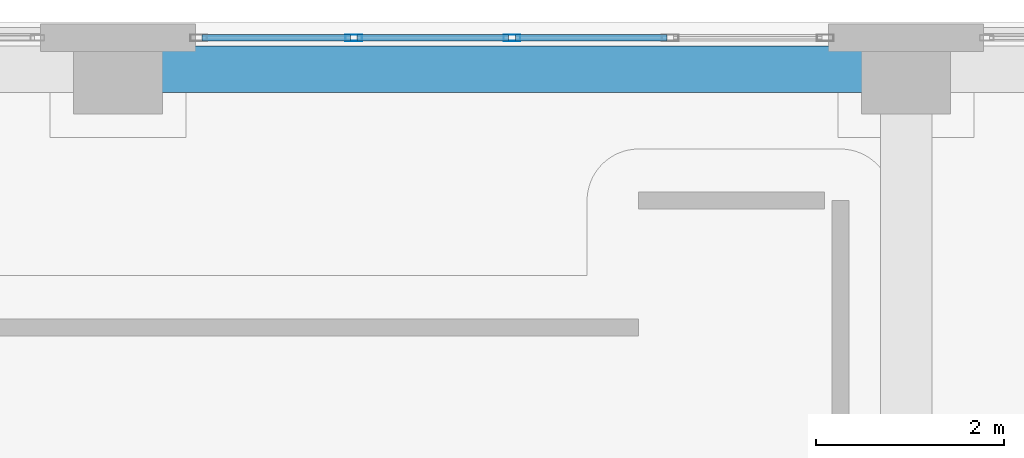
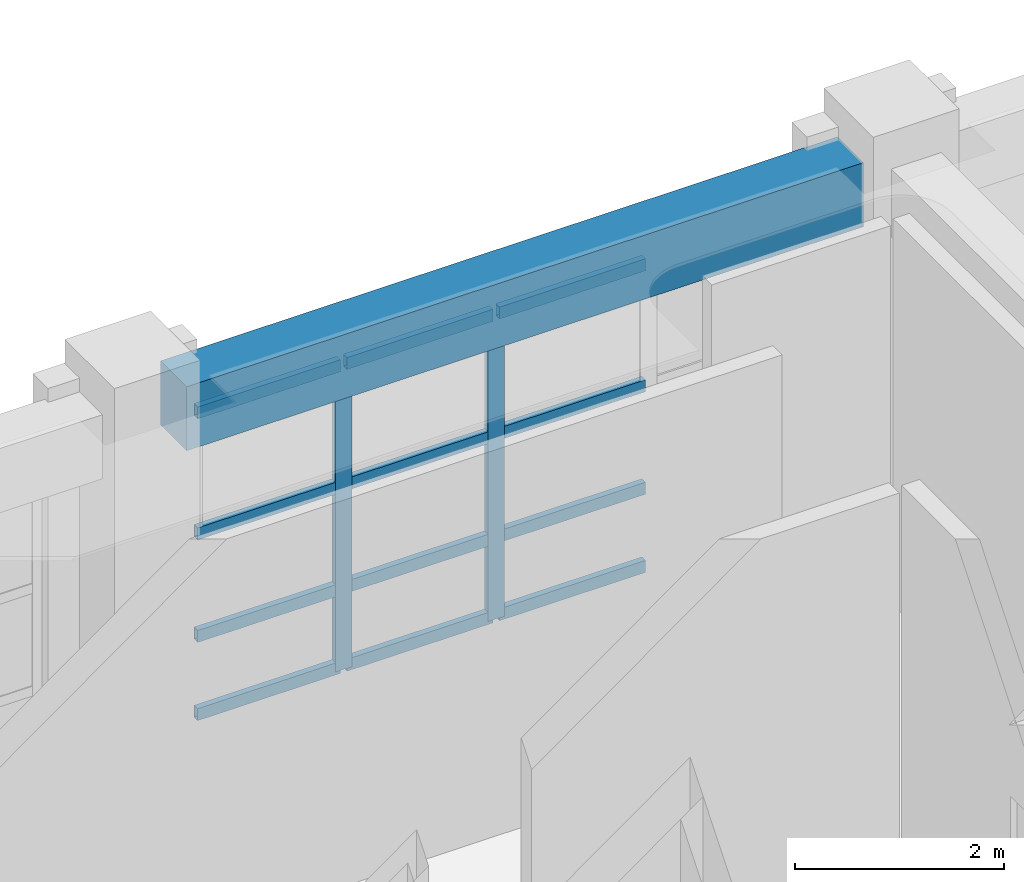
# One storey, part 49 of 123: 14 members, 1 beam, 1 element without a shape of its own.
"""IFC4 building model written with IfcOpenShell, lengths in metres."""

from ifc_helpers import new_model, si_unit, direction, frame, origin, origin_2d, place, context, subcontext, project, spatial, rectangle, hollow_rectangle, extrude, material, layer, layer_set, material_profile, profile_set, type_object, element, aggregate, save


model = new_model("IFC4")

# Units and contexts
model_context = context("Model", 3, precision=1e-05, world=origin(), true_north=direction((0.0, 1.0)))
body_context = subcontext(model_context, "Body", "Model", "MODEL_VIEW")
ifc_project = project(units=[si_unit("LENGTHUNIT", "METRE"), si_unit("AREAUNIT", "SQUARE_METRE"), si_unit("VOLUMEUNIT", "CUBIC_METRE"), si_unit("PLANEANGLEUNIT", "RADIAN"), si_unit("MASSUNIT", "GRAM", prefix="KILO")], contexts=[model_context])

# Site, building, storey
site_placement = place(None, origin())
site = spatial("IfcSite", under=ifc_project, at=site_placement, CompositionType="ELEMENT")
building_placement = place(site_placement, origin())
building = spatial("IfcBuilding", under=site, at=building_placement, Name="Quendrovan Civic Courthouse", CompositionType="ELEMENT")
storey_placement = place(building_placement, frame((0.0, 0.0, 5.39990234375)))
storey = spatial("IfcBuildingStorey", under=building, at=storey_placement, Name="L02", CompositionType="ELEMENT", Elevation=5.39990234375)

# Beam
ifc_material_1 = material(Name="Concrete C40/50", Category="concrete")
ifc_material_profile_1 = material_profile(ifc_material_1, rectangle(XDim=0.5, YDim=0.75, at=origin_2d()), Name="RC-BM-500x750")
ifc_profile_set_1 = profile_set([ifc_material_profile_1], Name="Concrete C40/50")
beam_type = type_object("IfcBeamType", Name="BM-RC750", PredefinedType="SPANDREL", material=ifc_profile_set_1)
beam_placement = place(storey_placement, frame((59.2548828125, 109.89990234375, 3.985107421875), z_axis=(1.0, 0.0, 0.0), x_axis=(0.0, 1.0, 0.0)))
element("IfcBeam", 1, at=beam_placement, inside=storey, type_object=beam_type, Name="L02 Girder X0594", PredefinedType="SPANDREL", context=body_context, shape_type="SweptSolid", body=[
    extrude(rectangle(XDim=0.5, YDim=0.75, at=origin_2d()), origin(), (0.0, 0.0, 1.0), 7.490234375),
])

# Curtain wall, members
ifc_material_2 = material(Name="Bronze anodised aluminium and low-E glass", Category="aluminium")
ifc_layer = layer(ifc_material_2, 0.179931640625, Name="Bronze anodised aluminium and low-E glass")
ifc_layer_set = layer_set([ifc_layer], Name="Bronze anodised aluminium and low-E glass")
curtain_wall_type = type_object("IfcCurtainWallType", Name="CW-U68x36", PredefinedType="USERDEFINED", material=ifc_layer_set)
curtain_wall_placement = place(storey_placement, origin())
curtain_wall = element("IfcCurtainWall", 2, at=curtain_wall_placement, inside=storey, type_object=curtain_wall_type, Name="L02 Unitised Hurricane Curtain Wall CW-084", ObjectType="UNITISED CURTAIN WALL", PredefinedType="USERDEFINED")
ifc_material_3 = material(Name="Bronze anodised aluminium", Category="aluminium")
ifc_material_profile_2 = material_profile(ifc_material_3, hollow_rectangle(XDim=0.070068359375, YDim=0.179931640625, WallThickness=0.00390625, at=origin_2d()), Name="CW-MULL-70x180")
ifc_profile_set_2 = profile_set([ifc_material_profile_2], Name="Bronze anodised aluminium")
member_type_1 = type_object("IfcMemberType", Name="CW-MULL-A", PredefinedType="MULLION", material=ifc_profile_set_2)
member_1_placement = place(storey_placement, frame((61.3125, 110.235107421875, 0.0), z_axis=(0.0, 0.0, 1.0), x_axis=(0.0, 1.0, 0.0)))
member_1 = element("IfcMember", 3, at=member_1_placement, type_object=member_type_1, Name="CW-084 mullion 2", PredefinedType="MULLION", context=body_context, shape_type="SweptSolid", body=[
    extrude(hollow_rectangle(XDim=0.070068359375, YDim=0.179931640625, WallThickness=0.00390625, at=origin_2d()), origin(), (0.0, 0.0, 1.0), 3.60009765625),
])
member_2_placement = place(storey_placement, frame((63.0, 110.235107421875, 0.0), z_axis=(0.0, 0.0, 1.0), x_axis=(0.0, 1.0, 0.0)))
member_2 = element("IfcMember", 4, at=member_2_placement, type_object=member_type_1, Name="CW-084 mullion 3", PredefinedType="MULLION", context=body_context, shape_type="SweptSolid", body=[
    extrude(hollow_rectangle(XDim=0.070068359375, YDim=0.179931640625, WallThickness=0.00390625, at=origin_2d()), origin(), (0.0, 0.0, 1.0), 3.60009765625),
])
ifc_material_profile_3 = material_profile(ifc_material_3, hollow_rectangle(XDim=0.070068359375, YDim=0.139892578125, WallThickness=0.00390625, at=origin_2d()), Name="CW-TRAN-70x140")
ifc_profile_set_3 = profile_set([ifc_material_profile_3], Name="Bronze anodised aluminium")
member_type_2 = type_object("IfcMemberType", Name="CW-TRAN-A", PredefinedType="USERDEFINED", material=ifc_profile_set_3)
member_3_placement = place(storey_placement, frame((59.695068359375, 110.235107421875, 0.03515625), z_axis=(1.0, 0.0, 0.0), x_axis=(0.0, 1.0, 0.0)))
member_3 = element("IfcMember", 5, at=member_3_placement, type_object=member_type_2, Name="CW-084 transom 1.1", ObjectType="TRANSOM", PredefinedType="USERDEFINED", context=body_context, shape_type="SweptSolid", body=[
    extrude(hollow_rectangle(XDim=0.070068359375, YDim=0.139892578125, WallThickness=0.00390625, at=origin_2d()), origin(), (0.0, 0.0, 1.0), 1.58251953125),
])
member_4_placement = place(storey_placement, frame((59.695068359375, 110.235107421875, 0.9501953125), z_axis=(1.0, 0.0, 0.0), x_axis=(0.0, 1.0, 0.0)))
member_4 = element("IfcMember", 6, at=member_4_placement, type_object=member_type_2, Name="CW-084 transom 1.2", ObjectType="TRANSOM", PredefinedType="USERDEFINED", context=body_context, shape_type="SweptSolid", body=[
    extrude(hollow_rectangle(XDim=0.070068359375, YDim=0.139892578125, WallThickness=0.00390625, at=origin_2d()), origin(), (0.0, 0.0, 1.0), 1.58251953125),
])
member_5_placement = place(storey_placement, frame((59.695068359375, 110.235107421875, 2.150146484375), z_axis=(1.0, 0.0, 0.0), x_axis=(0.0, 1.0, 0.0)))
member_5 = element("IfcMember", 7, at=member_5_placement, type_object=member_type_2, Name="CW-084 transom 1.3", ObjectType="TRANSOM", PredefinedType="USERDEFINED", context=body_context, shape_type="SweptSolid", body=[
    extrude(hollow_rectangle(XDim=0.070068359375, YDim=0.139892578125, WallThickness=0.00390625, at=origin_2d()), origin(), (0.0, 0.0, 1.0), 1.58251953125),
])
member_6_placement = place(storey_placement, frame((59.695068359375, 110.235107421875, 3.565185546875), z_axis=(1.0, 0.0, 0.0), x_axis=(0.0, 1.0, 0.0)))
member_6 = element("IfcMember", 8, at=member_6_placement, type_object=member_type_2, Name="CW-084 transom 1.4", ObjectType="TRANSOM", PredefinedType="USERDEFINED", context=body_context, shape_type="SweptSolid", body=[
    extrude(hollow_rectangle(XDim=0.070068359375, YDim=0.139892578125, WallThickness=0.00390625, at=origin_2d()), origin(), (0.0, 0.0, 1.0), 1.58251953125),
])
member_7_placement = place(storey_placement, frame((61.347412109375, 110.235107421875, 0.03515625), z_axis=(1.0, 0.0, 0.0), x_axis=(0.0, 1.0, 0.0)))
member_7 = element("IfcMember", 9, at=member_7_placement, type_object=member_type_2, Name="CW-084 transom 2.1", ObjectType="TRANSOM", PredefinedType="USERDEFINED", context=body_context, shape_type="SweptSolid", body=[
    extrude(hollow_rectangle(XDim=0.070068359375, YDim=0.139892578125, WallThickness=0.00390625, at=origin_2d()), origin(), (0.0, 0.0, 1.0), 1.61767578125),
])
member_8_placement = place(storey_placement, frame((61.347412109375, 110.235107421875, 0.9501953125), z_axis=(1.0, 0.0, 0.0), x_axis=(0.0, 1.0, 0.0)))
member_8 = element("IfcMember", 10, at=member_8_placement, type_object=member_type_2, Name="CW-084 transom 2.2", ObjectType="TRANSOM", PredefinedType="USERDEFINED", context=body_context, shape_type="SweptSolid", body=[
    extrude(hollow_rectangle(XDim=0.070068359375, YDim=0.139892578125, WallThickness=0.00390625, at=origin_2d()), origin(), (0.0, 0.0, 1.0), 1.61767578125),
])
member_9_placement = place(storey_placement, frame((61.347412109375, 110.235107421875, 2.150146484375), z_axis=(1.0, 0.0, 0.0), x_axis=(0.0, 1.0, 0.0)))
member_9 = element("IfcMember", 11, at=member_9_placement, type_object=member_type_2, Name="CW-084 transom 2.3", ObjectType="TRANSOM", PredefinedType="USERDEFINED", context=body_context, shape_type="SweptSolid", body=[
    extrude(hollow_rectangle(XDim=0.070068359375, YDim=0.139892578125, WallThickness=0.00390625, at=origin_2d()), origin(), (0.0, 0.0, 1.0), 1.61767578125),
])
member_10_placement = place(storey_placement, frame((61.347412109375, 110.235107421875, 3.565185546875), z_axis=(1.0, 0.0, 0.0), x_axis=(0.0, 1.0, 0.0)))
member_10 = element("IfcMember", 12, at=member_10_placement, type_object=member_type_2, Name="CW-084 transom 2.4", ObjectType="TRANSOM", PredefinedType="USERDEFINED", context=body_context, shape_type="SweptSolid", body=[
    extrude(hollow_rectangle(XDim=0.070068359375, YDim=0.139892578125, WallThickness=0.00390625, at=origin_2d()), origin(), (0.0, 0.0, 1.0), 1.61767578125),
])
member_11_placement = place(storey_placement, frame((63.034912109375, 110.235107421875, 0.03515625), z_axis=(1.0, 0.0, 0.0), x_axis=(0.0, 1.0, 0.0)))
member_11 = element("IfcMember", 13, at=member_11_placement, type_object=member_type_2, Name="CW-084 transom 3.1", ObjectType="TRANSOM", PredefinedType="USERDEFINED", context=body_context, shape_type="SweptSolid", body=[
    extrude(hollow_rectangle(XDim=0.070068359375, YDim=0.139892578125, WallThickness=0.00390625, at=origin_2d()), origin(), (0.0, 0.0, 1.0), 1.61767578125),
])
member_12_placement = place(storey_placement, frame((63.034912109375, 110.235107421875, 0.9501953125), z_axis=(1.0, 0.0, 0.0), x_axis=(0.0, 1.0, 0.0)))
member_12 = element("IfcMember", 14, at=member_12_placement, type_object=member_type_2, Name="CW-084 transom 3.2", ObjectType="TRANSOM", PredefinedType="USERDEFINED", context=body_context, shape_type="SweptSolid", body=[
    extrude(hollow_rectangle(XDim=0.070068359375, YDim=0.139892578125, WallThickness=0.00390625, at=origin_2d()), origin(), (0.0, 0.0, 1.0), 1.61767578125),
])
member_13_placement = place(storey_placement, frame((63.034912109375, 110.235107421875, 2.150146484375), z_axis=(1.0, 0.0, 0.0), x_axis=(0.0, 1.0, 0.0)))
member_13 = element("IfcMember", 15, at=member_13_placement, type_object=member_type_2, Name="CW-084 transom 3.3", ObjectType="TRANSOM", PredefinedType="USERDEFINED", context=body_context, shape_type="SweptSolid", body=[
    extrude(hollow_rectangle(XDim=0.070068359375, YDim=0.139892578125, WallThickness=0.00390625, at=origin_2d()), origin(), (0.0, 0.0, 1.0), 1.61767578125),
])
member_14_placement = place(storey_placement, frame((63.034912109375, 110.235107421875, 3.565185546875), z_axis=(1.0, 0.0, 0.0), x_axis=(0.0, 1.0, 0.0)))
member_14 = element("IfcMember", 16, at=member_14_placement, type_object=member_type_2, Name="CW-084 transom 3.4", ObjectType="TRANSOM", PredefinedType="USERDEFINED", context=body_context, shape_type="SweptSolid", body=[
    extrude(hollow_rectangle(XDim=0.070068359375, YDim=0.139892578125, WallThickness=0.00390625, at=origin_2d()), origin(), (0.0, 0.0, 1.0), 1.61767578125),
])
aggregate(curtain_wall, [member_1, member_2, member_3, member_4, member_5, member_6, member_7, member_8, member_9, member_10, member_11, member_12, member_13, member_14])

save(model, "model.ifc")
